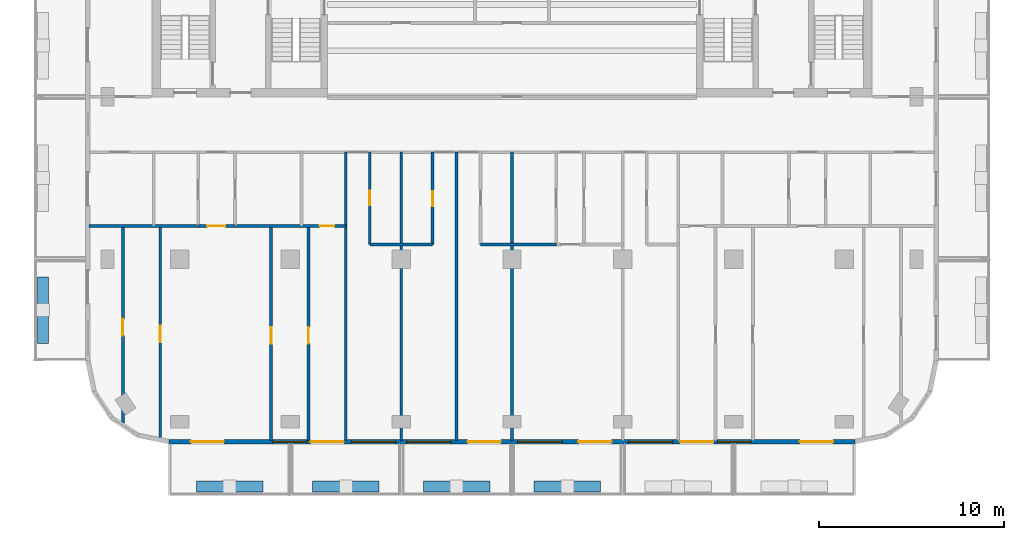
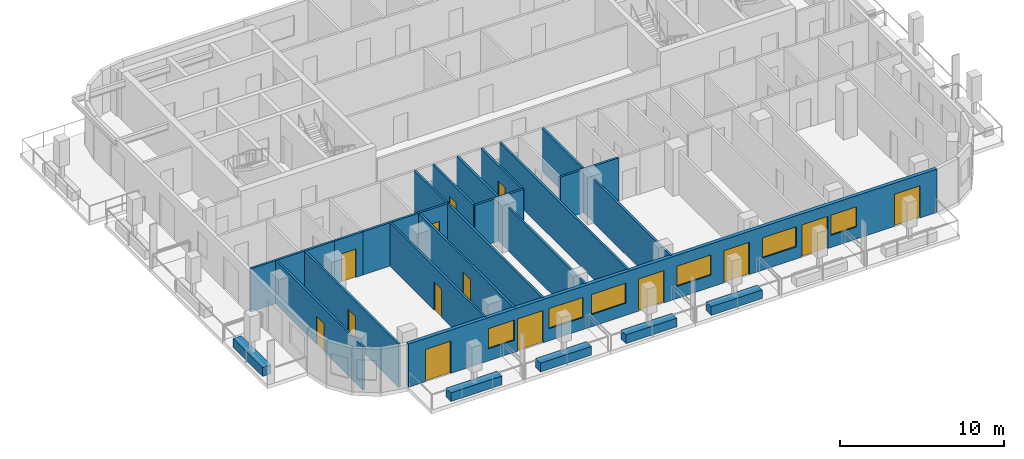
# One storey, part 2 of 11: 21 walls, 14 doors, 6 windows, 20 openings.
"""IFC4 building model written with IfcOpenShell, lengths in metres."""

from ifc_helpers import new_model, si_unit, direction, frame, frame_2d, origin, place, context, subcontext, project, spatial, rectangle, extrude, material, layer, layer_set, type_object, element, fill, save


model = new_model("IFC4")

# Units and contexts
model_context = context("Model", 3, precision=1e-05, world=origin(), true_north=direction((0.0, 1.0)))
body_context = subcontext(model_context, "Body", "Model", "MODEL_VIEW")
ifc_project = project(units=[si_unit("LENGTHUNIT", "METRE"), si_unit("AREAUNIT", "SQUARE_METRE"), si_unit("VOLUMEUNIT", "CUBIC_METRE"), si_unit("PLANEANGLEUNIT", "RADIAN"), si_unit("MASSUNIT", "GRAM", prefix="KILO")], contexts=[model_context])

# Site, building, storey
site_placement = place(None, origin())
site = spatial("IfcSite", under=ifc_project, at=site_placement, CompositionType="ELEMENT")
building_placement = place(site_placement, origin())
building = spatial("IfcBuilding", under=site, at=building_placement, Name="Torana Hotel and Residences", CompositionType="ELEMENT")
storey_placement = place(building_placement, frame((0.0, 0.0, 263.10009765625)))
storey = spatial("IfcBuildingStorey", under=building, at=storey_placement, Name="L69", CompositionType="ELEMENT", Elevation=263.10009765625)

# Wall, openings, doors, windows
ifc_material_1 = material(Name="Black aluminium composite panel", Category="aluminium")
ifc_layer_1 = layer(ifc_material_1, 0.00390625, Name="Cladding", Category="cladding")
ifc_material_2 = material(Name="Ventilated air cavity")
ifc_layer_2 = layer(ifc_material_2, 0.0400390625, Name="Ventilated cavity", Category="cavity")
ifc_material_3 = material(Name="Mineral wool insulation")
ifc_layer_3 = layer(ifc_material_3, 0.090087890625, Name="Insulation", Category="insulation")
ifc_material_4 = material(Name="Steel S280GD", Category="steel")
ifc_layer_4 = layer(ifc_material_4, 0.092041015625, Name="Steel stud frame", Category="structure")
ifc_material_5 = material(Name="Fire rated plasterboard")
ifc_layer_5 = layer(ifc_material_5, 0.011962890625, Name="Inner board", Category="finish")
ifc_layer_6 = layer(ifc_material_5, 0.011962890625, Name="Second board", Category="finish")
ifc_layer_set_1 = layer_set([ifc_layer_1, ifc_layer_2, ifc_layer_3, ifc_layer_4, ifc_layer_5, ifc_layer_6], Name="EW1 EXTERNAL WALL BLACK METAL CLAD 250")
wall_type_1 = type_object("IfcWallType", Name="EW1 EXTERNAL WALL BLACK METAL CLAD 250", PredefinedType="SOLIDWALL", material=ifc_layer_set_1)
wall_1_placement = place(storey_placement, frame((-18.575439453125, -33.675048828125, 0.0), z_axis=(0.0, 0.0, 1.0), x_axis=(1.0, 0.0, 0.0)))
wall_1 = element("IfcWall", 1, at=wall_1_placement, inside=storey, type_object=wall_type_1, Name="External wall L69 e0.14", PredefinedType="SOLIDWALL", context=body_context, shape_type="SweptSolid", body=[
    extrude(rectangle(XDim=37.15087890625, YDim=0.25, at=frame_2d((18.575439453125, 0.0))), origin(), (0.0, 0.0, 1.0), 3.219970703125),
])
opening_1_placement = place(wall_1_placement, frame((1.17529296875, 0.0, 0.0)))
opening_1 = element("IfcOpeningElement", 2, at=opening_1_placement, cuts=wall_1, Name="Opening L69-E01", PredefinedType="OPENING", context=body_context, shape_type="SweptSolid", body=[
    extrude(rectangle(XDim=1.800048828125, YDim=2.39990234375, at=frame_2d((0.89990234375, 1.199951171875))), frame((0.0, 0.135009765625, 0.0), z_axis=(0.0, -1.0, 0.0), x_axis=(1.0, 0.0, 0.0)), (0.0, 0.0, 1.0), 0.27001953125),
])
opening_2_placement = place(wall_1_placement, frame((5.637451171875, 0.0, 0.89990234375)))
opening_2 = element("IfcOpeningElement", 3, at=opening_2_placement, cuts=wall_1, Name="Opening W4", PredefinedType="OPENING", context=body_context, shape_type="SweptSolid", body=[
    extrude(rectangle(XDim=1.800048828125, YDim=1.5, at=frame_2d((0.89990234375, 0.75))), frame((0.0, 0.135009765625, 0.0), z_axis=(0.0, -1.0, 0.0), x_axis=(1.0, 0.0, 0.0)), (0.0, 0.0, 1.0), 0.27001953125),
])
opening_3_placement = place(wall_1_placement, frame((7.663330078125, 0.0, 0.0)))
opening_3 = element("IfcOpeningElement", 4, at=opening_3_placement, cuts=wall_1, Name="Opening L69-E02", PredefinedType="OPENING", context=body_context, shape_type="SweptSolid", body=[
    extrude(rectangle(XDim=1.800048828125, YDim=2.39990234375, at=frame_2d((0.89990234375, 1.199951171875))), frame((0.0, 0.135009765625, 0.0), z_axis=(0.0, -1.0, 0.0), x_axis=(1.0, 0.0, 0.0)), (0.0, 0.0, 1.0), 0.27001953125),
])
opening_4_placement = place(wall_1_placement, frame((9.87548828125, 0.0, 0.89990234375)))
opening_4 = element("IfcOpeningElement", 5, at=opening_4_placement, cuts=wall_1, Name="Opening W3", PredefinedType="OPENING", context=body_context, shape_type="SweptSolid", body=[
    extrude(rectangle(XDim=2.39990234375, YDim=1.5, at=frame_2d((1.199951171875, 0.75))), frame((0.0, 0.135009765625, 0.0), z_axis=(0.0, -1.0, 0.0), x_axis=(1.0, 0.0, 0.0)), (0.0, 0.0, 1.0), 0.27001953125),
])
opening_5_placement = place(wall_1_placement, frame((12.87548828125, 0.0, 0.89990234375)))
opening_5 = element("IfcOpeningElement", 6, at=opening_5_placement, cuts=wall_1, Name="Opening W3", PredefinedType="OPENING", context=body_context, shape_type="SweptSolid", body=[
    extrude(rectangle(XDim=2.39990234375, YDim=1.5, at=frame_2d((1.199951171875, 0.75))), frame((0.0, 0.135009765625, 0.0), z_axis=(0.0, -1.0, 0.0), x_axis=(1.0, 0.0, 0.0)), (0.0, 0.0, 1.0), 0.27001953125),
])
opening_6_placement = place(wall_1_placement, frame((16.17529296875, 0.0, 0.0)))
opening_6 = element("IfcOpeningElement", 7, at=opening_6_placement, cuts=wall_1, Name="Opening L69-E03", PredefinedType="OPENING", context=body_context, shape_type="SweptSolid", body=[
    extrude(rectangle(XDim=1.800048828125, YDim=2.39990234375, at=frame_2d((0.89990234375, 1.199951171875))), frame((0.0, 0.135009765625, 0.0), z_axis=(0.0, -1.0, 0.0), x_axis=(1.0, 0.0, 0.0)), (0.0, 0.0, 1.0), 0.27001953125),
])
opening_7_placement = place(wall_1_placement, frame((18.87548828125, 0.0, 0.89990234375)))
opening_7 = element("IfcOpeningElement", 8, at=opening_7_placement, cuts=wall_1, Name="Opening W3", PredefinedType="OPENING", context=body_context, shape_type="SweptSolid", body=[
    extrude(rectangle(XDim=2.39990234375, YDim=1.5, at=frame_2d((1.199951171875, 0.75))), frame((0.0, 0.135009765625, 0.0), z_axis=(0.0, -1.0, 0.0), x_axis=(1.0, 0.0, 0.0)), (0.0, 0.0, 1.0), 0.27001953125),
])
opening_8_placement = place(wall_1_placement, frame((22.17529296875, 0.0, 0.0)))
opening_8 = element("IfcOpeningElement", 9, at=opening_8_placement, cuts=wall_1, Name="Opening L69-E04", PredefinedType="OPENING", context=body_context, shape_type="SweptSolid", body=[
    extrude(rectangle(XDim=1.800048828125, YDim=2.39990234375, at=frame_2d((0.89990234375, 1.199951171875))), frame((0.0, 0.135009765625, 0.0), z_axis=(0.0, -1.0, 0.0), x_axis=(1.0, 0.0, 0.0)), (0.0, 0.0, 1.0), 0.27001953125),
])
opening_9_placement = place(wall_1_placement, frame((24.87548828125, 0.0, 0.89990234375)))
opening_9 = element("IfcOpeningElement", 10, at=opening_9_placement, cuts=wall_1, Name="Opening W3", PredefinedType="OPENING", context=body_context, shape_type="SweptSolid", body=[
    extrude(rectangle(XDim=2.39990234375, YDim=1.5, at=frame_2d((1.199951171875, 0.75))), frame((0.0, 0.135009765625, 0.0), z_axis=(0.0, -1.0, 0.0), x_axis=(1.0, 0.0, 0.0)), (0.0, 0.0, 1.0), 0.27001953125),
])
opening_10_placement = place(wall_1_placement, frame((27.6875, 0.0, 0.0)))
opening_10 = element("IfcOpeningElement", 11, at=opening_10_placement, cuts=wall_1, Name="Opening L69-E05", PredefinedType="OPENING", context=body_context, shape_type="SweptSolid", body=[
    extrude(rectangle(XDim=1.800048828125, YDim=2.39990234375, at=frame_2d((0.89990234375, 1.199951171875))), frame((0.0, 0.135009765625, 0.0), z_axis=(0.0, -1.0, 0.0), x_axis=(1.0, 0.0, 0.0)), (0.0, 0.0, 1.0), 0.27001953125),
])
opening_11_placement = place(wall_1_placement, frame((29.71337890625, 0.0, 0.89990234375)))
opening_11 = element("IfcOpeningElement", 12, at=opening_11_placement, cuts=wall_1, Name="Opening W4", PredefinedType="OPENING", context=body_context, shape_type="SweptSolid", body=[
    extrude(rectangle(XDim=1.800048828125, YDim=1.5, at=frame_2d((0.89990234375, 0.75))), frame((0.0, 0.135009765625, 0.0), z_axis=(0.0, -1.0, 0.0), x_axis=(1.0, 0.0, 0.0)), (0.0, 0.0, 1.0), 0.27001953125),
])
opening_12_placement = place(wall_1_placement, frame((34.17529296875, 0.0, 0.0)))
opening_12 = element("IfcOpeningElement", 13, at=opening_12_placement, cuts=wall_1, Name="Opening L69-E06", PredefinedType="OPENING", context=body_context, shape_type="SweptSolid", body=[
    extrude(rectangle(XDim=1.800048828125, YDim=2.39990234375, at=frame_2d((0.89990234375, 1.199951171875))), frame((0.0, 0.135009765625, 0.0), z_axis=(0.0, -1.0, 0.0), x_axis=(1.0, 0.0, 0.0)), (0.0, 0.0, 1.0), 0.27001953125),
])
ifc_material_6 = material(Name="Dark glass in black aluminium frame", Category="aluminium")
door_type_1 = type_object("IfcDoorType", Name="DB1 BALCONY DOOR 1800x2400", OperationType="DOUBLE_DOOR_SINGLE_SWING", PredefinedType="DOOR", material=ifc_material_6)
door_1_placement = place(opening_1_placement, origin())
door_1 = element("IfcDoor", 14, at=door_1_placement, inside=storey, type_object=door_type_1, Name="Balcony door L69", OperationType="DOUBLE_DOOR_SINGLE_SWING", OverallHeight=2.39990234375, OverallWidth=1.800048828125, PredefinedType="DOOR", context=body_context, shape_type="SweptSolid", body=[
    extrude(rectangle(XDim=1.800048828125, YDim=2.39990234375, at=frame_2d((0.89990234375, 1.199951171875))), frame((0.0, 0.02490234375, 0.0), z_axis=(0.0, -1.0, 0.0), x_axis=(1.0, 0.0, 0.0)), (0.0, 0.0, 1.0), 0.050048828125),
])
fill(opening_1, door_1)
door_2_placement = place(opening_3_placement, origin())
door_2 = element("IfcDoor", 15, at=door_2_placement, inside=storey, type_object=door_type_1, Name="Balcony door L69", OperationType="DOUBLE_DOOR_SINGLE_SWING", OverallHeight=2.39990234375, OverallWidth=1.800048828125, PredefinedType="DOOR", context=body_context, shape_type="SweptSolid", body=[
    extrude(rectangle(XDim=1.800048828125, YDim=2.39990234375, at=frame_2d((0.89990234375, 1.199951171875))), frame((0.0, 0.02490234375, 0.0), z_axis=(0.0, -1.0, 0.0), x_axis=(1.0, 0.0, 0.0)), (0.0, 0.0, 1.0), 0.050048828125),
])
fill(opening_3, door_2)
door_3_placement = place(opening_6_placement, origin())
door_3 = element("IfcDoor", 16, at=door_3_placement, inside=storey, type_object=door_type_1, Name="Balcony door L69", OperationType="DOUBLE_DOOR_SINGLE_SWING", OverallHeight=2.39990234375, OverallWidth=1.800048828125, PredefinedType="DOOR", context=body_context, shape_type="SweptSolid", body=[
    extrude(rectangle(XDim=1.800048828125, YDim=2.39990234375, at=frame_2d((0.89990234375, 1.199951171875))), frame((0.0, 0.02490234375, 0.0), z_axis=(0.0, -1.0, 0.0), x_axis=(1.0, 0.0, 0.0)), (0.0, 0.0, 1.0), 0.050048828125),
])
fill(opening_6, door_3)
door_4_placement = place(opening_8_placement, origin())
door_4 = element("IfcDoor", 17, at=door_4_placement, inside=storey, type_object=door_type_1, Name="Balcony door L69", OperationType="DOUBLE_DOOR_SINGLE_SWING", OverallHeight=2.39990234375, OverallWidth=1.800048828125, PredefinedType="DOOR", context=body_context, shape_type="SweptSolid", body=[
    extrude(rectangle(XDim=1.800048828125, YDim=2.39990234375, at=frame_2d((0.89990234375, 1.199951171875))), frame((0.0, 0.02490234375, 0.0), z_axis=(0.0, -1.0, 0.0), x_axis=(1.0, 0.0, 0.0)), (0.0, 0.0, 1.0), 0.050048828125),
])
fill(opening_8, door_4)
door_5_placement = place(opening_10_placement, origin())
door_5 = element("IfcDoor", 18, at=door_5_placement, inside=storey, type_object=door_type_1, Name="Balcony door L69", OperationType="DOUBLE_DOOR_SINGLE_SWING", OverallHeight=2.39990234375, OverallWidth=1.800048828125, PredefinedType="DOOR", context=body_context, shape_type="SweptSolid", body=[
    extrude(rectangle(XDim=1.800048828125, YDim=2.39990234375, at=frame_2d((0.89990234375, 1.199951171875))), frame((0.0, 0.02490234375, 0.0), z_axis=(0.0, -1.0, 0.0), x_axis=(1.0, 0.0, 0.0)), (0.0, 0.0, 1.0), 0.050048828125),
])
fill(opening_10, door_5)
door_6_placement = place(opening_12_placement, origin())
door_6 = element("IfcDoor", 19, at=door_6_placement, inside=storey, type_object=door_type_1, Name="Balcony door L69", OperationType="DOUBLE_DOOR_SINGLE_SWING", OverallHeight=2.39990234375, OverallWidth=1.800048828125, PredefinedType="DOOR", context=body_context, shape_type="SweptSolid", body=[
    extrude(rectangle(XDim=1.800048828125, YDim=2.39990234375, at=frame_2d((0.89990234375, 1.199951171875))), frame((0.0, 0.02490234375, 0.0), z_axis=(0.0, -1.0, 0.0), x_axis=(1.0, 0.0, 0.0)), (0.0, 0.0, 1.0), 0.050048828125),
])
fill(opening_12, door_6)
ifc_material_7 = material(Name="Dark glass in black aluminium frame", Category="aluminium")
window_type_1 = type_object("IfcWindowType", Name="W3 RESIDENCE WINDOW 2400x1500", PartitioningType="SINGLE_PANEL", PredefinedType="WINDOW", material=ifc_material_7)
window_1_placement = place(opening_4_placement, origin())
window_1 = element("IfcWindow", 20, at=window_1_placement, inside=storey, type_object=window_type_1, Name="Window L69", OverallHeight=1.5, OverallWidth=2.39990234375, PartitioningType="SINGLE_PANEL", PredefinedType="WINDOW", context=body_context, shape_type="SweptSolid", body=[
    extrude(rectangle(XDim=2.39990234375, YDim=1.5, at=frame_2d((1.199951171875, 0.75))), frame((0.0, 0.030029296875, 0.0), z_axis=(0.0, -1.0, 0.0), x_axis=(1.0, 0.0, 0.0)), (0.0, 0.0, 1.0), 0.06005859375),
])
fill(opening_4, window_1)
window_2_placement = place(opening_5_placement, origin())
window_2 = element("IfcWindow", 21, at=window_2_placement, inside=storey, type_object=window_type_1, Name="Window L69", OverallHeight=1.5, OverallWidth=2.39990234375, PartitioningType="SINGLE_PANEL", PredefinedType="WINDOW", context=body_context, shape_type="SweptSolid", body=[
    extrude(rectangle(XDim=2.39990234375, YDim=1.5, at=frame_2d((1.199951171875, 0.75))), frame((0.0, 0.030029296875, 0.0), z_axis=(0.0, -1.0, 0.0), x_axis=(1.0, 0.0, 0.0)), (0.0, 0.0, 1.0), 0.06005859375),
])
fill(opening_5, window_2)
window_3_placement = place(opening_7_placement, origin())
window_3 = element("IfcWindow", 22, at=window_3_placement, inside=storey, type_object=window_type_1, Name="Window L69", OverallHeight=1.5, OverallWidth=2.39990234375, PartitioningType="SINGLE_PANEL", PredefinedType="WINDOW", context=body_context, shape_type="SweptSolid", body=[
    extrude(rectangle(XDim=2.39990234375, YDim=1.5, at=frame_2d((1.199951171875, 0.75))), frame((0.0, 0.030029296875, 0.0), z_axis=(0.0, -1.0, 0.0), x_axis=(1.0, 0.0, 0.0)), (0.0, 0.0, 1.0), 0.06005859375),
])
fill(opening_7, window_3)
window_4_placement = place(opening_9_placement, origin())
window_4 = element("IfcWindow", 23, at=window_4_placement, inside=storey, type_object=window_type_1, Name="Window L69", OverallHeight=1.5, OverallWidth=2.39990234375, PartitioningType="SINGLE_PANEL", PredefinedType="WINDOW", context=body_context, shape_type="SweptSolid", body=[
    extrude(rectangle(XDim=2.39990234375, YDim=1.5, at=frame_2d((1.199951171875, 0.75))), frame((0.0, 0.030029296875, 0.0), z_axis=(0.0, -1.0, 0.0), x_axis=(1.0, 0.0, 0.0)), (0.0, 0.0, 1.0), 0.06005859375),
])
fill(opening_9, window_4)
ifc_material_8 = material(Name="Dark glass in black aluminium frame", Category="aluminium")
window_type_2 = type_object("IfcWindowType", Name="W4 RESIDENCE WINDOW NARROW 1800x1500", PartitioningType="SINGLE_PANEL", PredefinedType="WINDOW", material=ifc_material_8)
window_5_placement = place(opening_2_placement, origin())
window_5 = element("IfcWindow", 24, at=window_5_placement, inside=storey, type_object=window_type_2, Name="Window L69", OverallHeight=1.5, OverallWidth=1.800048828125, PartitioningType="SINGLE_PANEL", PredefinedType="WINDOW", context=body_context, shape_type="SweptSolid", body=[
    extrude(rectangle(XDim=1.800048828125, YDim=1.5, at=frame_2d((0.89990234375, 0.75))), frame((0.0, 0.030029296875, 0.0), z_axis=(0.0, -1.0, 0.0), x_axis=(1.0, 0.0, 0.0)), (0.0, 0.0, 1.0), 0.06005859375),
])
fill(opening_2, window_5)
window_6_placement = place(opening_11_placement, origin())
window_6 = element("IfcWindow", 25, at=window_6_placement, inside=storey, type_object=window_type_2, Name="Window L69", OverallHeight=1.5, OverallWidth=1.800048828125, PartitioningType="SINGLE_PANEL", PredefinedType="WINDOW", context=body_context, shape_type="SweptSolid", body=[
    extrude(rectangle(XDim=1.800048828125, YDim=1.5, at=frame_2d((0.89990234375, 0.75))), frame((0.0, 0.030029296875, 0.0), z_axis=(0.0, -1.0, 0.0), x_axis=(1.0, 0.0, 0.0)), (0.0, 0.0, 1.0), 0.06005859375),
])
fill(opening_11, window_6)

# Wall, opening, door
ifc_material_9 = material(Name="Gypsum plaster")
ifc_layer_7 = layer(ifc_material_9, 0.014892578125, Name="Plaster", Category="finish")
ifc_material_10 = material(Name="Concrete blockwork", Category="masonry")
ifc_layer_8 = layer(ifc_material_10, 0.1201171875, Name="Blockwork", Category="structure")
ifc_layer_9 = layer(ifc_material_9, 0.014892578125, Name="Plaster", Category="finish")
ifc_layer_set_2 = layer_set([ifc_layer_7, ifc_layer_8, ifc_layer_9], Name="FIRE PARTITION 150 BLOCKWORK")
wall_type_2 = type_object("IfcWallType", Name="FIRE PARTITION 150 BLOCKWORK", PredefinedType="PARTITIONING", material=ifc_layer_set_2)
wall_2_placement = place(storey_placement, frame((-17.0, -22.0, 0.0), z_axis=(0.0, 0.0, 1.0), x_axis=(1.0, 0.0, 0.0)))
wall_2 = element("IfcWall", 26, at=wall_2_placement, inside=storey, type_object=wall_type_2, Name="Partition L69", PredefinedType="PARTITIONING", context=body_context, shape_type="SweptSolid", body=[
    extrude(rectangle(XDim=2.0, YDim=0.14990234375, at=frame_2d((1.0, 0.0))), origin(), (0.0, 0.0, 1.0), 3.219970703125),
])
opening_13_placement = place(wall_2_placement, frame((0.47998046875, 0.0, 0.0)))
opening_13 = element("IfcOpeningElement", 27, at=opening_13_placement, cuts=wall_2, Name="Opening L69-48", PredefinedType="OPENING", context=body_context, shape_type="SweptSolid", body=[
    extrude(rectangle(XDim=1.0, YDim=2.10009765625, at=frame_2d((0.5, 1.050048828125))), frame((0.0, 0.0849609375, 0.0), z_axis=(0.0, -1.0, 0.0), x_axis=(1.0, 0.0, 0.0)), (0.0, 0.0, 1.0), 0.169921875),
])
ifc_material_11 = material(Name="Steel S235", Category="steel")
door_type_2 = type_object("IfcDoorType", Name="ENTRY FIRE DOOR D6 1000x2100", OperationType="SINGLE_SWING_LEFT", PredefinedType="DOOR", material=ifc_material_11)
door_7_placement = place(opening_13_placement, frame((0.5, 0.0, 0.0), z_axis=(0.0, 0.0, 1.0), x_axis=(-1.0, 0.0, 0.0)))
door_7 = element("IfcDoor", 28, at=door_7_placement, inside=storey, type_object=door_type_2, Name="Door L69", OperationType="SINGLE_SWING_LEFT", OverallHeight=2.10009765625, OverallWidth=1.0, PredefinedType="DOOR", context=body_context, shape_type="SweptSolid", body=[
    extrude(rectangle(XDim=1.0, YDim=2.10009765625, at=frame_2d((0.0, 1.050048828125))), frame((0.0, -0.02490234375, 0.0), z_axis=(0.0, 1.0, 0.0), x_axis=(-1.0, 0.0, 0.0)), (0.0, 0.0, 1.0), 0.050048828125),
])
fill(opening_13, door_7)

# Walls
ifc_material_12 = material(Name="Gypsum plasterboard")
ifc_layer_10 = layer(ifc_material_12, 0.012451171875, Name="Plasterboard", Category="finish")
ifc_layer_11 = layer(ifc_material_12, 0.012451171875, Name="Plasterboard", Category="finish")
ifc_layer_12 = layer(ifc_material_4, 0.10009765625, Name="Steel studs with mineral wool", Category="insulation")
ifc_layer_13 = layer(ifc_material_12, 0.012451171875, Name="Plasterboard", Category="finish")
ifc_layer_14 = layer(ifc_material_12, 0.012451171875, Name="Plasterboard", Category="finish")
ifc_layer_set_3 = layer_set([ifc_layer_10, ifc_layer_11, ifc_layer_12, ifc_layer_13, ifc_layer_14], Name="PARTITION 150 PLASTERBOARD")
wall_type_3 = type_object("IfcWallType", Name="PARTITION 150 PLASTERBOARD", PredefinedType="PARTITIONING", material=ifc_layer_set_3)
for number, where, z_axis, x_axis, name in (
    (29, (0.0, -33.6201171875, 0.0), (0.0, 0.0, 1.0), (0.0, 1.0, 0.0), "Partition L69"),
    (30, (-3.0, -33.6201171875, 0.0), (0.0, 0.0, 1.0), (0.0, 1.0, 0.0), "Partition L69"),
):
    element("IfcWall", number, at=place(storey_placement, frame(where, z_axis=z_axis, x_axis=x_axis)), inside=storey, type_object=wall_type_3, Name=name, PredefinedType="PARTITIONING", context=body_context, shape_type="SweptSolid", body=[
        extrude(rectangle(XDim=15.6201171875, YDim=0.14990234375, at=frame_2d((7.81005859375, 0.0))), origin(), (0.0, 0.0, 1.0), 3.219970703125),
    ])

# Wall, opening, door
wall_3_placement = place(storey_placement, frame((-4.300048828125, -23.0, 0.0), z_axis=(0.0, 0.0, 1.0), x_axis=(0.0, 1.0, 0.0)))
wall_3 = element("IfcWall", 31, at=wall_3_placement, inside=storey, type_object=wall_type_3, Name="Partition L69", PredefinedType="PARTITIONING", context=body_context, shape_type="SweptSolid", body=[
    extrude(rectangle(XDim=5.0, YDim=0.14990234375, at=frame_2d((2.5, 0.0))), origin(), (0.0, 0.0, 1.0), 3.219970703125),
])
opening_14_placement = place(wall_3_placement, frame((2.080078125, 0.0, 0.0)))
opening_14 = element("IfcOpeningElement", 32, at=opening_14_placement, cuts=wall_3, Name="Opening L69-39", PredefinedType="OPENING", context=body_context, shape_type="SweptSolid", body=[
    extrude(rectangle(XDim=0.800048828125, YDim=2.10009765625, at=frame_2d((0.39990234375, 1.050048828125))), frame((0.0, 0.0849609375, 0.0), z_axis=(0.0, -1.0, 0.0), x_axis=(1.0, 0.0, 0.0)), (0.0, 0.0, 1.0), 0.169921875),
])
ifc_material_13 = material(Name="Timber door, painted", Category="wood")
door_type_3 = type_object("IfcDoorType", Name="BATH DOOR D13 800x2100", OperationType="SINGLE_SWING_LEFT", PredefinedType="DOOR", material=ifc_material_13)
door_8_placement = place(opening_14_placement, origin())
door_8 = element("IfcDoor", 33, at=door_8_placement, inside=storey, type_object=door_type_3, Name="Door L69", OperationType="SINGLE_SWING_RIGHT", OverallHeight=2.10009765625, OverallWidth=0.800048828125, PredefinedType="DOOR", context=body_context, shape_type="SweptSolid", body=[
    extrude(rectangle(XDim=0.800048828125, YDim=2.10009765625, at=frame_2d((0.39990234375, 1.050048828125))), frame((0.0, 0.02490234375, 0.0), z_axis=(0.0, -1.0, 0.0), x_axis=(1.0, 0.0, 0.0)), (0.0, 0.0, 1.0), 0.050048828125),
])
fill(opening_14, door_8)

# Wall
wall_4_placement = place(storey_placement, frame((-6.0, -33.6201171875, 0.0), z_axis=(0.0, 0.0, 1.0), x_axis=(0.0, 1.0, 0.0)))
element("IfcWall", 34, at=wall_4_placement, inside=storey, type_object=wall_type_3, Name="Partition L69", PredefinedType="PARTITIONING", context=body_context, shape_type="SweptSolid", body=[
    extrude(rectangle(XDim=15.6201171875, YDim=0.14990234375, at=frame_2d((7.81005859375, 0.0))), origin(), (0.0, 0.0, 1.0), 3.219970703125),
])

# Wall, opening, door
wall_5_placement = place(storey_placement, frame((-7.699951171875, -23.0, 0.0), z_axis=(0.0, 0.0, 1.0), x_axis=(0.0, 1.0, 0.0)))
wall_5 = element("IfcWall", 35, at=wall_5_placement, inside=storey, type_object=wall_type_3, Name="Partition L69", PredefinedType="PARTITIONING", context=body_context, shape_type="SweptSolid", body=[
    extrude(rectangle(XDim=5.0, YDim=0.14990234375, at=frame_2d((2.5, 0.0))), origin(), (0.0, 0.0, 1.0), 3.219970703125),
])
opening_15_placement = place(wall_5_placement, frame((2.1201171875, 0.0, 0.0)))
opening_15 = element("IfcOpeningElement", 36, at=opening_15_placement, cuts=wall_5, Name="Opening L69-38", PredefinedType="OPENING", context=body_context, shape_type="SweptSolid", body=[
    extrude(rectangle(XDim=0.800048828125, YDim=2.10009765625, at=frame_2d((0.39990234375, 1.050048828125))), frame((0.0, 0.0849609375, 0.0), z_axis=(0.0, -1.0, 0.0), x_axis=(1.0, 0.0, 0.0)), (0.0, 0.0, 1.0), 0.169921875),
])
door_9_placement = place(opening_15_placement, origin())
door_9 = element("IfcDoor", 37, at=door_9_placement, inside=storey, type_object=door_type_3, Name="Door L69", OperationType="SINGLE_SWING_RIGHT", OverallHeight=2.10009765625, OverallWidth=0.800048828125, PredefinedType="DOOR", context=body_context, shape_type="SweptSolid", body=[
    extrude(rectangle(XDim=0.800048828125, YDim=2.10009765625, at=frame_2d((0.39990234375, 1.050048828125))), frame((0.0, 0.02490234375, 0.0), z_axis=(0.0, -1.0, 0.0), x_axis=(1.0, 0.0, 0.0)), (0.0, 0.0, 1.0), 0.050048828125),
])
fill(opening_15, door_9)

# Wall
wall_6_placement = place(storey_placement, frame((-9.0, -33.6201171875, 0.0), z_axis=(0.0, 0.0, 1.0), x_axis=(0.0, 1.0, 0.0)))
element("IfcWall", 38, at=wall_6_placement, inside=storey, type_object=wall_type_3, Name="Partition L69", PredefinedType="PARTITIONING", context=body_context, shape_type="SweptSolid", body=[
    extrude(rectangle(XDim=15.6201171875, YDim=0.14990234375, at=frame_2d((7.81005859375, 0.0))), origin(), (0.0, 0.0, 1.0), 3.219970703125),
])

# Wall, opening, door
wall_7_placement = place(storey_placement, frame((-11.02490234375, -33.6201171875, 0.0), z_axis=(0.0, 0.0, 1.0), x_axis=(0.0, 1.0, 0.0)))
wall_7 = element("IfcWall", 39, at=wall_7_placement, inside=storey, type_object=wall_type_3, Name="Partition L69", PredefinedType="PARTITIONING", context=body_context, shape_type="SweptSolid", body=[
    extrude(rectangle(XDim=11.6201171875, YDim=0.14990234375, at=frame_2d((5.81005859375, 0.0))), origin(), (0.0, 0.0, 1.0), 3.219970703125),
])
opening_16_placement = place(wall_7_placement, frame((5.25, 0.0, 0.0)))
opening_16 = element("IfcOpeningElement", 40, at=opening_16_placement, cuts=wall_7, Name="Opening L69-51", PredefinedType="OPENING", context=body_context, shape_type="SweptSolid", body=[
    extrude(rectangle(XDim=0.89990234375, YDim=2.10009765625, at=frame_2d((0.449951171875, 1.050048828125))), frame((0.0, 0.0849609375, 0.0), z_axis=(0.0, -1.0, 0.0), x_axis=(1.0, 0.0, 0.0)), (0.0, 0.0, 1.0), 0.169921875),
])
ifc_material_14 = material(Name="Timber door, oiled ash", Category="wood")
door_type_4 = type_object("IfcDoorType", Name="ROOM DOOR D7 900x2100", OperationType="SINGLE_SWING_LEFT", PredefinedType="DOOR", material=ifc_material_14)
door_10_placement = place(opening_16_placement, origin())
door_10 = element("IfcDoor", 41, at=door_10_placement, inside=storey, type_object=door_type_4, Name="Door L69", OperationType="SINGLE_SWING_RIGHT", OverallHeight=2.10009765625, OverallWidth=0.89990234375, PredefinedType="DOOR", context=body_context, shape_type="SweptSolid", body=[
    extrude(rectangle(XDim=0.89990234375, YDim=2.10009765625, at=frame_2d((0.449951171875, 1.050048828125))), frame((0.0, 0.02490234375, 0.0), z_axis=(0.0, -1.0, 0.0), x_axis=(1.0, 0.0, 0.0)), (0.0, 0.0, 1.0), 0.050048828125),
])
fill(opening_16, door_10)

wall_8_placement = place(storey_placement, frame((-13.050048828125, -33.6201171875, 0.0), z_axis=(0.0, 0.0, 1.0), x_axis=(0.0, 1.0, 0.0)))
wall_8 = element("IfcWall", 42, at=wall_8_placement, inside=storey, type_object=wall_type_3, Name="Partition L69", PredefinedType="PARTITIONING", context=body_context, shape_type="SweptSolid", body=[
    extrude(rectangle(XDim=11.6201171875, YDim=0.14990234375, at=frame_2d((5.81005859375, 0.0))), origin(), (0.0, 0.0, 1.0), 3.219970703125),
])
opening_17_placement = place(wall_8_placement, frame((5.25, 0.0, 0.0)))
opening_17 = element("IfcOpeningElement", 43, at=opening_17_placement, cuts=wall_8, Name="Opening L69-49", PredefinedType="OPENING", context=body_context, shape_type="SweptSolid", body=[
    extrude(rectangle(XDim=0.89990234375, YDim=2.10009765625, at=frame_2d((0.449951171875, 1.050048828125))), frame((0.0, 0.0849609375, 0.0), z_axis=(0.0, -1.0, 0.0), x_axis=(1.0, 0.0, 0.0)), (0.0, 0.0, 1.0), 0.169921875),
])
door_11_placement = place(opening_17_placement, origin())
door_11 = element("IfcDoor", 44, at=door_11_placement, inside=storey, type_object=door_type_4, Name="Door L69", OperationType="SINGLE_SWING_RIGHT", OverallHeight=2.10009765625, OverallWidth=0.89990234375, PredefinedType="DOOR", context=body_context, shape_type="SweptSolid", body=[
    extrude(rectangle(XDim=0.89990234375, YDim=2.10009765625, at=frame_2d((0.449951171875, 1.050048828125))), frame((0.0, 0.02490234375, 0.0), z_axis=(0.0, -1.0, 0.0), x_axis=(1.0, 0.0, 0.0)), (0.0, 0.0, 1.0), 0.050048828125),
])
fill(opening_17, door_11)

wall_9_placement = place(storey_placement, frame((-19.050048828125, -33.527099609375, 0.0), z_axis=(0.0, 0.0, 1.0), x_axis=(0.0, 1.0, 0.0)))
wall_9 = element("IfcWall", 45, at=wall_9_placement, inside=storey, type_object=wall_type_3, Name="Partition L69", PredefinedType="PARTITIONING", context=body_context, shape_type="SweptSolid", body=[
    extrude(rectangle(XDim=11.527099609375, YDim=0.14990234375, at=frame_2d((5.763671875, 0.0))), origin(), (0.0, 0.0, 1.0), 3.219970703125),
])
opening_18_placement = place(wall_9_placement, frame((5.236083984375, 0.0, 0.0)))
opening_18 = element("IfcOpeningElement", 46, at=opening_18_placement, cuts=wall_9, Name="Opening L69-50", PredefinedType="OPENING", context=body_context, shape_type="SweptSolid", body=[
    extrude(rectangle(XDim=0.89990234375, YDim=2.10009765625, at=frame_2d((0.449951171875, 1.050048828125))), frame((0.0, 0.0849609375, 0.0), z_axis=(0.0, -1.0, 0.0), x_axis=(1.0, 0.0, 0.0)), (0.0, 0.0, 1.0), 0.169921875),
])
door_12_placement = place(opening_18_placement, origin())
door_12 = element("IfcDoor", 47, at=door_12_placement, inside=storey, type_object=door_type_4, Name="Door L69", OperationType="SINGLE_SWING_RIGHT", OverallHeight=2.10009765625, OverallWidth=0.89990234375, PredefinedType="DOOR", context=body_context, shape_type="SweptSolid", body=[
    extrude(rectangle(XDim=0.89990234375, YDim=2.10009765625, at=frame_2d((0.449951171875, 1.050048828125))), frame((0.0, 0.02490234375, 0.0), z_axis=(0.0, -1.0, 0.0), x_axis=(1.0, 0.0, 0.0)), (0.0, 0.0, 1.0), 0.050048828125),
])
fill(opening_18, door_12)

wall_10_placement = place(storey_placement, frame((-21.074951171875, -32.665771484375, 0.0), z_axis=(0.0, 0.0, 1.0), x_axis=(0.0, 1.0, 0.0)))
wall_10 = element("IfcWall", 48, at=wall_10_placement, inside=storey, type_object=wall_type_3, Name="Partition L69", PredefinedType="PARTITIONING", context=body_context, shape_type="SweptSolid", body=[
    extrude(rectangle(XDim=10.665771484375, YDim=0.14990234375, at=frame_2d((5.3330078125, 0.0))), origin(), (0.0, 0.0, 1.0), 3.219970703125),
])
opening_19_placement = place(wall_10_placement, frame((4.731689453125, 0.0, 0.0)))
opening_19 = element("IfcOpeningElement", 49, at=opening_19_placement, cuts=wall_10, Name="Opening L69-52", PredefinedType="OPENING", context=body_context, shape_type="SweptSolid", body=[
    extrude(rectangle(XDim=0.89990234375, YDim=2.10009765625, at=frame_2d((0.449951171875, 1.050048828125))), frame((0.0, 0.0849609375, 0.0), z_axis=(0.0, -1.0, 0.0), x_axis=(1.0, 0.0, 0.0)), (0.0, 0.0, 1.0), 0.169921875),
])
door_13_placement = place(opening_19_placement, origin())
door_13 = element("IfcDoor", 50, at=door_13_placement, inside=storey, type_object=door_type_4, Name="Door L69", OperationType="SINGLE_SWING_RIGHT", OverallHeight=2.10009765625, OverallWidth=0.89990234375, PredefinedType="DOOR", context=body_context, shape_type="SweptSolid", body=[
    extrude(rectangle(XDim=0.89990234375, YDim=2.10009765625, at=frame_2d((0.449951171875, 1.050048828125))), frame((0.0, 0.02490234375, 0.0), z_axis=(0.0, -1.0, 0.0), x_axis=(1.0, 0.0, 0.0)), (0.0, 0.0, 1.0), 0.050048828125),
])
fill(opening_19, door_13)

# Walls
wall_11_placement = place(storey_placement, frame((-7.699951171875, -23.0, 0.0), z_axis=(0.0, 0.0, 1.0), x_axis=(1.0, 0.0, 0.0)))
element("IfcWall", 51, at=wall_11_placement, inside=storey, type_object=wall_type_3, Name="Partition L69", PredefinedType="PARTITIONING", context=body_context, shape_type="SweptSolid", body=[
    extrude(rectangle(XDim=3.39990234375, YDim=0.14990234375, at=frame_2d((1.699951171875, 0.0))), origin(), (0.0, 0.0, 1.0), 3.219970703125),
])
wall_12_placement = place(storey_placement, frame((-1.699951171875, -23.0, 0.0), z_axis=(0.0, 0.0, 1.0), x_axis=(1.0, 0.0, 0.0)))
element("IfcWall", 52, at=wall_12_placement, inside=storey, type_object=wall_type_3, Name="Partition L69", PredefinedType="PARTITIONING", context=body_context, shape_type="SweptSolid", body=[
    extrude(rectangle(XDim=4.099853515625, YDim=0.14990234375, at=frame_2d((2.0498046875, 0.0))), origin(), (0.0, 0.0, 1.0), 3.219970703125),
])
wall_13_placement = place(storey_placement, frame((-22.919921875, -22.0, 0.0), z_axis=(0.0, 0.0, 1.0), x_axis=(1.0, 0.0, 0.0)))
element("IfcWall", 53, at=wall_13_placement, inside=storey, type_object=wall_type_3, Name="Partition L69", PredefinedType="PARTITIONING", context=body_context, shape_type="SweptSolid", body=[
    extrude(rectangle(XDim=5.919921875, YDim=0.14990234375, at=frame_2d((2.9599609375, 0.0))), origin(), (0.0, 0.0, 1.0), 3.219970703125),
])

# Wall, opening, door
wall_14_placement = place(storey_placement, frame((-15.0, -22.0, 0.0), z_axis=(0.0, 0.0, 1.0), x_axis=(1.0, 0.0, 0.0)))
wall_14 = element("IfcWall", 54, at=wall_14_placement, inside=storey, type_object=wall_type_3, Name="Partition L69", PredefinedType="PARTITIONING", context=body_context, shape_type="SweptSolid", body=[
    extrude(rectangle(XDim=6.0, YDim=0.14990234375, at=frame_2d((3.0, 0.0))), origin(), (0.0, 0.0, 1.0), 3.219970703125),
])
opening_20_placement = place(wall_14_placement, frame((4.580078125, 0.0, 0.0)))
opening_20 = element("IfcOpeningElement", 55, at=opening_20_placement, cuts=wall_14, Name="Opening L69-45", PredefinedType="OPENING", context=body_context, shape_type="SweptSolid", body=[
    extrude(rectangle(XDim=0.800048828125, YDim=2.10009765625, at=frame_2d((0.39990234375, 1.050048828125))), frame((0.0, 0.0849609375, 0.0), z_axis=(0.0, -1.0, 0.0), x_axis=(1.0, 0.0, 0.0)), (0.0, 0.0, 1.0), 0.169921875),
])
door_14_placement = place(opening_20_placement, origin())
door_14 = element("IfcDoor", 56, at=door_14_placement, inside=storey, type_object=door_type_3, Name="Door L69", OperationType="SINGLE_SWING_LEFT", OverallHeight=2.10009765625, OverallWidth=0.800048828125, PredefinedType="DOOR", context=body_context, shape_type="SweptSolid", body=[
    extrude(rectangle(XDim=0.800048828125, YDim=2.10009765625, at=frame_2d((0.39990234375, 1.050048828125))), frame((0.0, 0.02490234375, 0.0), z_axis=(0.0, -1.0, 0.0), x_axis=(1.0, 0.0, 0.0)), (0.0, 0.0, 1.0), 0.050048828125),
])
fill(opening_20, door_14)

# Walls
ifc_material_15 = material(Name="Concrete C40/50 precast", Category="concrete")
ifc_layer_15 = layer(ifc_material_15, 0.10009765625, Name="Planter shell", Category="structure")
ifc_material_16 = material(Name="Root resistant membrane")
ifc_layer_16 = layer(ifc_material_16, 0.00390625, Name="Waterproofing membrane", Category="membrane")
ifc_material_17 = material(Name="Drainage board with filter fleece")
ifc_layer_17 = layer(ifc_material_17, 0.02001953125, Name="Drainage board", Category="drainage")
ifc_material_18 = material(Name="Growing medium")
ifc_layer_18 = layer(ifc_material_18, 0.47607421875, Name="Planting substrate", Category="soil")
ifc_layer_set_4 = layer_set([ifc_layer_15, ifc_layer_16, ifc_layer_17, ifc_layer_18], Name="PL1 BALCONY PLANTER 600")
wall_type_4 = type_object("IfcWallType", Name="PL1 BALCONY PLANTER 600", PredefinedType="USERDEFINED", material=ifc_layer_set_4)
for number, where, z_axis, x_axis, name in (
    (57, (-13.5, -36.10009765625, 0.0), (0.0, 0.0, 1.0), (-1.0, 0.0, 0.0), "Planter 01"),
    (58, (-7.199951171875, -36.10009765625, 0.0), (0.0, 0.0, 1.0), (-1.0, 0.0, 0.0), "Planter 02"),
    (59, (-1.199951171875, -36.10009765625, 0.0), (0.0, 0.0, 1.0), (-1.0, 0.0, 0.0), "Planter 03"),
    (60, (4.800048828125, -36.10009765625, 0.0), (0.0, 0.0, 1.0), (-1.0, 0.0, 0.0), "Planter 04"),
    (61, (-25.39990234375, -28.35009765625, 0.0), (0.0, 0.0, 1.0), (0.0, 1.0, 0.0), "Planter 07"),
):
    element("IfcWall", number, at=place(storey_placement, frame(where, z_axis=z_axis, x_axis=x_axis)), inside=storey, type_object=wall_type_4, Name=name, ObjectType="PLANTER", PredefinedType="USERDEFINED", context=body_context, shape_type="SweptSolid", body=[
        extrude(rectangle(XDim=3.60009765625, YDim=0.60009765625, at=frame_2d((1.800048828125, 0.0))), origin(), (0.0, 0.0, 1.0), 0.64990234375),
    ])

save(model, "model.ifc")
